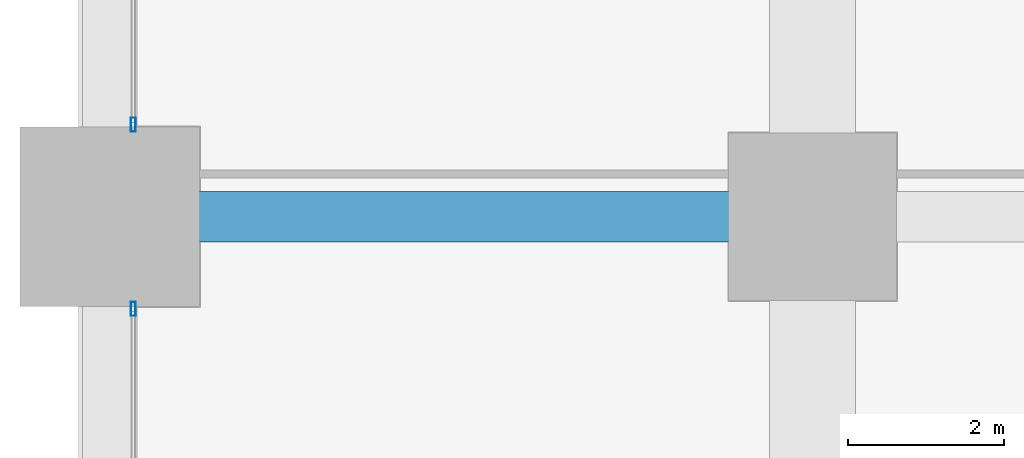
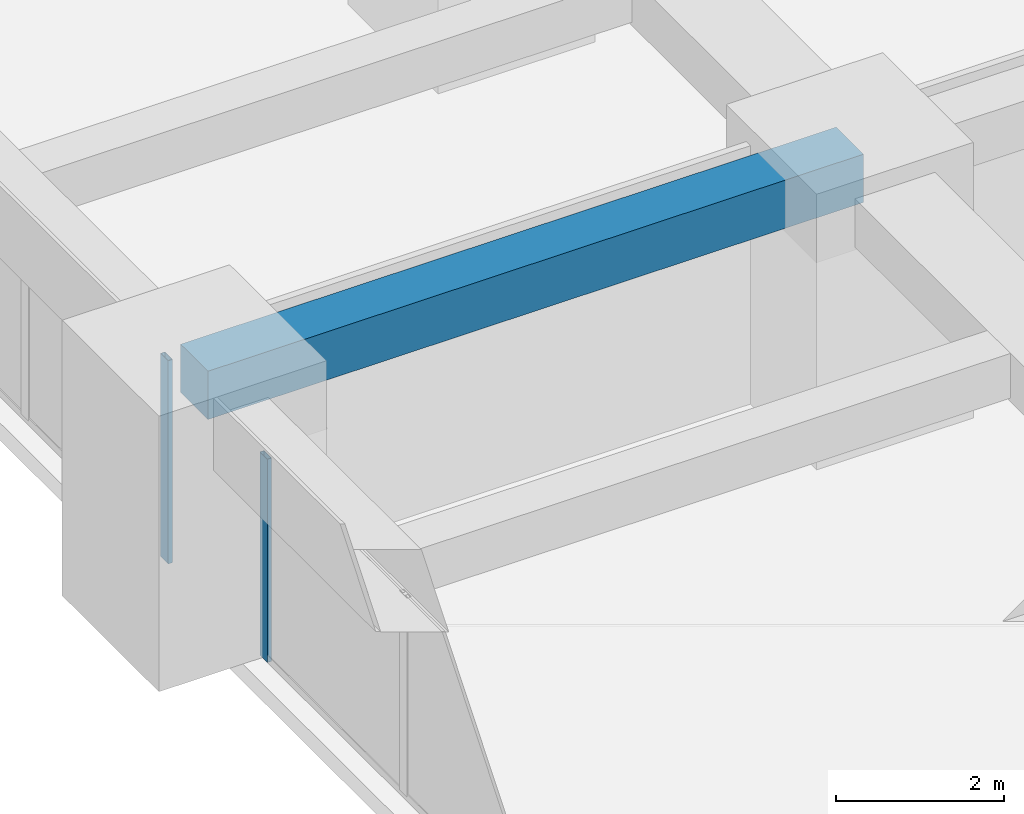
# One storey, part 23 of 44: 2 members, 1 beam, 2 elements without a shape of their own.
"""IFC4 building model written with IfcOpenShell, lengths in metres."""

from ifc_helpers import new_model, si_unit, direction, frame, origin, origin_2d, place, context, subcontext, project, spatial, rectangle, hollow_rectangle, extrude, material, material_profile, profile_set, type_object, element, aggregate, save


model = new_model("IFC4")

# Units and contexts
model_context = context("Model", 3, precision=1e-05, world=origin(), true_north=direction((0.0, 1.0)))
body_context = subcontext(model_context, "Body", "Model", "MODEL_VIEW")
ifc_project = project(units=[si_unit("LENGTHUNIT", "METRE"), si_unit("AREAUNIT", "SQUARE_METRE"), si_unit("VOLUMEUNIT", "CUBIC_METRE"), si_unit("PLANEANGLEUNIT", "RADIAN"), si_unit("MASSUNIT", "GRAM", prefix="KILO")], contexts=[model_context])

# Site, building, storey
site_placement = place(None, origin())
site = spatial("IfcSite", under=ifc_project, at=site_placement, CompositionType="ELEMENT")
building_placement = place(site_placement, origin())
building = spatial("IfcBuilding", under=site, at=building_placement, Name="Zorevar Civic Tower", CompositionType="ELEMENT")
storey_placement = place(building_placement, frame((0.0, 0.0, 51.800048828125)))
storey = spatial("IfcBuildingStorey", under=building, at=storey_placement, Name="L12", CompositionType="ELEMENT", Elevation=51.800048828125)

# Beam
ifc_material_1 = material(Name="Concrete C50/60", Category="concrete")
ifc_material_profile_1 = material_profile(ifc_material_1, rectangle(XDim=0.64990234375, YDim=0.699951171875, at=origin_2d()), Name="RC 650x700")
ifc_profile_set_1 = profile_set([ifc_material_profile_1], Name="Concrete C50/60")
beam_type = type_object("IfcBeamType", Name="Beam RC 650x700", PredefinedType="BEAM", material=ifc_profile_set_1)
beam_placement = place(storey_placement, frame((0.0, 36.0, 3.39990234375), z_axis=(1.0, 0.0, 0.0), x_axis=(0.0, 1.0, 0.0)))
element("IfcBeam", 1, at=beam_placement, inside=storey, type_object=beam_type, Name="Girder L13", PredefinedType="BEAM", context=body_context, shape_type="SweptSolid", body=[
    extrude(rectangle(XDim=0.64990234375, YDim=0.699951171875, at=origin_2d()), origin(), (0.0, 0.0, 1.0), 9.0),
])

# Curtain wall, member
ifc_material_2 = material(Name="Dark grey solar-control glass in black aluminium frame", Category="aluminium")
curtain_wall_type = type_object("IfcCurtainWallType", Name="Curtain wall CW2 low zone", PredefinedType="NOTDEFINED", material=ifc_material_2)
curtain_wall_1_placement = place(storey_placement, origin())
curtain_wall_1 = element("IfcCurtainWall", 2, at=curtain_wall_1_placement, inside=storey, type_object=curtain_wall_type, Name="CW2 L12", PredefinedType="NOTDEFINED")
ifc_material_3 = material(Name="Aluminium, black anodised", Category="aluminium")
ifc_material_profile_2 = material_profile(ifc_material_3, hollow_rectangle(XDim=0.06005859375, YDim=0.179931640625, WallThickness=0.00390625, at=origin_2d()), Name="AL 180x60x4")
ifc_profile_set_2 = profile_set([ifc_material_profile_2], Name="Aluminium, black anodised")
member_type = type_object("IfcMemberType", Name="CW2 mullion AL 180x60x4", PredefinedType="MULLION", material=ifc_profile_set_2)
member_1_placement = place(storey_placement, frame((0.300048828125, 34.820068359375, 0.0), z_axis=(0.0, 0.0, 1.0), x_axis=(-1.0, 0.0, 0.0)))
member_1 = element("IfcMember", 3, at=member_1_placement, type_object=member_type, Name="CW2 mullion 3", PredefinedType="MULLION", context=body_context, shape_type="SweptSolid", body=[
    extrude(hollow_rectangle(XDim=0.06005859375, YDim=0.179931640625, WallThickness=0.00390625, at=origin_2d()), origin(), (0.0, 0.0, 1.0), 2.949951171875),
])
aggregate(curtain_wall_1, [member_1])

curtain_wall_2_placement = place(storey_placement, origin())
curtain_wall_2 = element("IfcCurtainWall", 4, at=curtain_wall_2_placement, inside=storey, type_object=curtain_wall_type, Name="CW2 L12", PredefinedType="NOTDEFINED")
member_2_placement = place(storey_placement, frame((0.300048828125, 37.179931640625, 0.0), z_axis=(0.0, 0.0, 1.0), x_axis=(-1.0, 0.0, 0.0)))
member_2 = element("IfcMember", 5, at=member_2_placement, type_object=member_type, Name="CW2 mullion 1", PredefinedType="MULLION", context=body_context, shape_type="SweptSolid", body=[
    extrude(hollow_rectangle(XDim=0.06005859375, YDim=0.179931640625, WallThickness=0.00390625, at=origin_2d()), origin(), (0.0, 0.0, 1.0), 2.949951171875),
])
aggregate(curtain_wall_2, [member_2])

save(model, "model.ifc")
